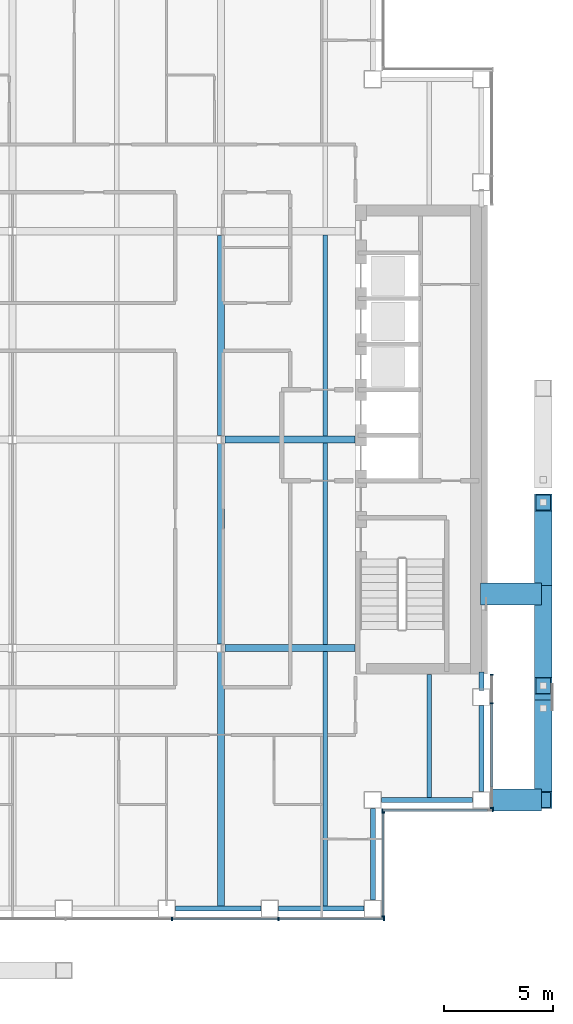
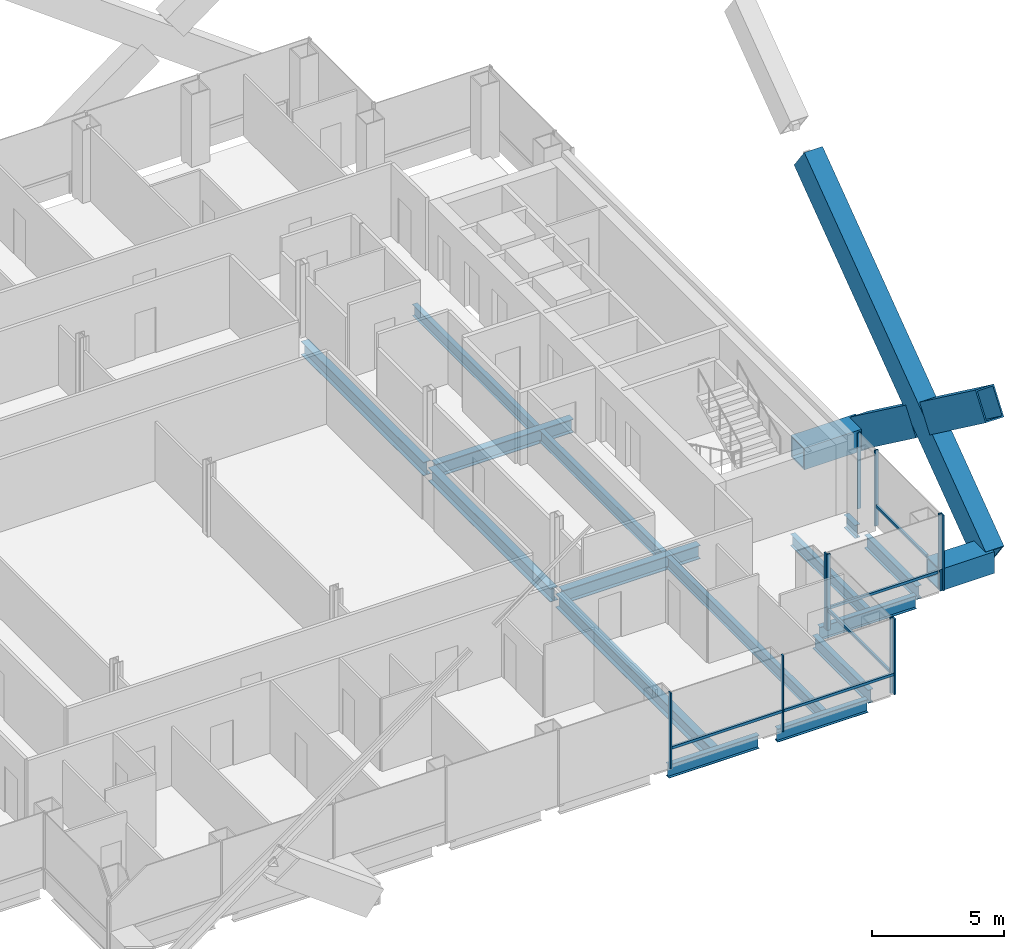
# One storey, part 5 of 16: 18 members, 17 beams, 4 elements without a shape of their own.
"""IFC4 building model written with IfcOpenShell, lengths in metres."""

from ifc_helpers import new_model, si_unit, direction, frame, origin, origin_2d, place, context, subcontext, project, spatial, rectangle, hollow_rectangle, i_section, extrude, material, material_profile, profile_set, type_object, element, aggregate, save


model = new_model("IFC4")

# Units and contexts
model_context = context("Model", 3, precision=1e-05, world=origin(), true_north=direction((0.0, 1.0)))
body_context = subcontext(model_context, "Body", "Model", "MODEL_VIEW")
ifc_project = project(units=[si_unit("LENGTHUNIT", "METRE"), si_unit("AREAUNIT", "SQUARE_METRE"), si_unit("VOLUMEUNIT", "CUBIC_METRE"), si_unit("PLANEANGLEUNIT", "RADIAN"), si_unit("MASSUNIT", "GRAM", prefix="KILO")], contexts=[model_context])

# Site, building, storey
site_placement = place(None, origin())
site = spatial("IfcSite", under=ifc_project, at=site_placement, CompositionType="ELEMENT")
building_placement = place(site_placement, origin())
building = spatial("IfcBuilding", under=site, at=building_placement, Name="Cobrizo Arcos Hotel Tower", CompositionType="ELEMENT")
storey_placement = place(building_placement, frame((0.0, 0.0, 172.5)))
storey = spatial("IfcBuildingStorey", under=building, at=storey_placement, Name="L44", CompositionType="ELEMENT", Elevation=172.5)

# Beams
ifc_material_1 = material(Name="Steel ASTM A572 Grade 50", Category="steel")
ifc_material_profile_1 = material_profile(ifc_material_1, hollow_rectangle(XDim=1.0, YDim=1.0, WallThickness=0.06005859375, at=origin_2d()), Name="BOX 1000X1000X60")
ifc_profile_set_1 = profile_set([ifc_material_profile_1], Name="Steel ASTM A572 Grade 50")
beam_type_1 = type_object("IfcBeamType", Name="BOX 1000X1000X60 brace connector strut", PredefinedType="BEAM", material=ifc_profile_set_1)
beam_1_placement = place(storey_placement, frame((21.550048828125, -7.1142578125, 0.5), z_axis=(1.0, 0.0, 0.0), x_axis=(0.0, 1.0, 0.0)))
element("IfcBeam", 1, at=beam_1_placement, inside=storey, type_object=beam_type_1, Name="Perimeter brace stub BS1, zone Z3, east face, offset -7.11 m, L44", PredefinedType="BEAM", context=body_context, shape_type="SweptSolid", body=[
    extrude(hollow_rectangle(XDim=1.0, YDim=1.0, WallThickness=0.06005859375, at=origin_2d()), origin(), (0.0, 0.0, 1.0), 2.820068359375),
])
beam_2_placement = place(storey_placement, frame((21.989990234375, -16.60009765625, 0.5), z_axis=(1.0, 0.0, 0.0), x_axis=(0.0, 1.0, 0.0)))
element("IfcBeam", 2, at=beam_2_placement, inside=storey, type_object=beam_type_1, Name="Perimeter brace stub BS1, zone Z3, east face, offset -16.60 m, L44", PredefinedType="BEAM", context=body_context, shape_type="SweptSolid", body=[
    extrude(hollow_rectangle(XDim=1.0, YDim=1.0, WallThickness=0.06005859375, at=origin_2d()), origin(), (0.0, 0.0, 1.0), 2.380126953125),
])

# Members
ifc_material_profile_2 = material_profile(ifc_material_1, hollow_rectangle(XDim=0.800048828125, YDim=1.300048828125, WallThickness=0.06005859375, at=origin_2d()), Name="BOX 800X1300X60")
ifc_profile_set_2 = profile_set([ifc_material_profile_2], Name="Steel ASTM A572 Grade 50")
member_type_1 = type_object("IfcMemberType", Name="BOX 800X1300X60 perimeter brace", PredefinedType="BRACE", material=ifc_profile_set_2)
member_1_placement = place(storey_placement, frame((24.449951171875, -16.60009765625, 0.5), z_axis=(0.0, 0.804630166974, 0.593776299961), x_axis=(-1.0, 0.0, 0.0)))
element("IfcMember", 3, at=member_1_placement, inside=storey, type_object=member_type_1, Name="Perimeter brace PBR3, zone Z3, east face, no. 14", PredefinedType="BRACE", context=body_context, shape_type="SweptSolid", body=[
    extrude(hollow_rectangle(XDim=0.800048828125, YDim=1.300048828125, WallThickness=0.06005859375, at=origin_2d()), origin(), (0.0, 0.0, 1.0), 17.033447265625),
])
for number, where, z_axis, x_axis, name in (
    (4, (24.449951171875, -7.1142578125, 0.5), (0.0, -0.804623858684, 0.593784848271), (1.0, 0.0, 0.0), "Perimeter brace PBR3, zone Z3, east face, no. 15"),
    (5, (24.449951171875, -12.38037109375, 4.385986328125), (0.0, -0.804623858684, 0.593784848271), (1.0, 0.0, 0.0), "Perimeter brace PBR3, zone Z3, east face, no. 15b"),
):
    element("IfcMember", number, at=place(storey_placement, frame(where, z_axis=z_axis, x_axis=x_axis)), inside=storey, type_object=member_type_1, Name=name, PredefinedType="BRACE", context=body_context, shape_type="SweptSolid", body=[
        extrude(hollow_rectangle(XDim=0.800048828125, YDim=1.300048828125, WallThickness=0.06005859375, at=origin_2d()), origin(), (0.0, 0.0, 1.0), 5.244384765625),
    ])

# Curtain wall, members
ifc_material_2 = material(Name="Aluminium 6063-T6 anodised bronze", Category="aluminium")
curtain_wall_type = type_object("IfcCurtainWallType", Name="CW-A guest facade", PredefinedType="NOTDEFINED", material=ifc_material_2)
curtain_wall_1_placement = place(storey_placement, origin())
curtain_wall_1 = element("IfcCurtainWall", 6, at=curtain_wall_1_placement, inside=storey, type_object=curtain_wall_type, Name="CW-A L44 S face", PredefinedType="NOTDEFINED")
ifc_material_profile_3 = material_profile(ifc_material_2, rectangle(XDim=0.14990234375, YDim=0.06005859375, at=origin_2d()), Name="CW-A mullion 150x60")
ifc_profile_set_3 = profile_set([ifc_material_profile_3], Name="Aluminium 6063-T6 anodised bronze")
member_type_2 = type_object("IfcMemberType", Name="CW-A mullion 150x60", PredefinedType="MULLION", material=ifc_profile_set_3)
member_2_placement = place(storey_placement, frame((7.35009765625, -22.074951171875, 0.0), z_axis=(0.0, 0.0, 1.0), x_axis=(0.0, -1.0, 0.0)))
member_2 = element("IfcMember", 7, at=member_2_placement, type_object=member_type_2, Name="CW-A mullion 6", PredefinedType="MULLION", context=body_context, shape_type="SweptSolid", body=[
    extrude(rectangle(XDim=0.14990234375, YDim=0.06005859375, at=origin_2d()), origin(), (0.0, 0.0, 1.0), 3.5),
])
member_3_placement = place(storey_placement, frame((12.25, -22.074951171875, 0.0), z_axis=(0.0, 0.0, 1.0), x_axis=(0.0, -1.0, 0.0)))
member_3 = element("IfcMember", 8, at=member_3_placement, type_object=member_type_2, Name="CW-A mullion 7", PredefinedType="MULLION", context=body_context, shape_type="SweptSolid", body=[
    extrude(rectangle(XDim=0.14990234375, YDim=0.06005859375, at=origin_2d()), origin(), (0.0, 0.0, 1.0), 3.5),
])
member_4_placement = place(storey_placement, frame((17.1201171875, -22.074951171875, 0.0), z_axis=(0.0, 0.0, 1.0), x_axis=(0.0, -1.0, 0.0)))
member_4 = element("IfcMember", 9, at=member_4_placement, type_object=member_type_2, Name="CW-A mullion 8", PredefinedType="MULLION", context=body_context, shape_type="SweptSolid", body=[
    extrude(rectangle(XDim=0.14990234375, YDim=0.06005859375, at=origin_2d()), origin(), (0.0, 0.0, 1.0), 3.5),
])

curtain_wall_2_placement = place(storey_placement, origin())
curtain_wall_2 = element("IfcCurtainWall", 10, at=curtain_wall_2_placement, inside=storey, type_object=curtain_wall_type, Name="CW-A L44 E face", PredefinedType="NOTDEFINED")
member_5_placement = place(storey_placement, frame((17.074951171875, -21.969970703125, 0.0), z_axis=(0.0, 0.0, 1.0), x_axis=(1.0, 0.0, 0.0)))
member_5 = element("IfcMember", 11, at=member_5_placement, type_object=member_type_2, Name="CW-A mullion 1", PredefinedType="MULLION", context=body_context, shape_type="SweptSolid", body=[
    extrude(rectangle(XDim=0.14990234375, YDim=0.06005859375, at=origin_2d()), origin(), (0.0, 0.0, 1.0), 3.5),
])
member_6_placement = place(storey_placement, frame((17.074951171875, -17.179931640625, 0.0), z_axis=(0.0, 0.0, 1.0), x_axis=(1.0, 0.0, 0.0)))
member_6 = element("IfcMember", 12, at=member_6_placement, type_object=member_type_2, Name="CW-A mullion 2", PredefinedType="MULLION", context=body_context, shape_type="SweptSolid", body=[
    extrude(rectangle(XDim=0.14990234375, YDim=0.06005859375, at=origin_2d()), origin(), (0.0, 0.0, 1.0), 3.5),
])

curtain_wall_3_placement = place(storey_placement, origin())
curtain_wall_3 = element("IfcCurtainWall", 13, at=curtain_wall_3_placement, inside=storey, type_object=curtain_wall_type, Name="CW-A L44 S face", PredefinedType="NOTDEFINED")
member_7_placement = place(storey_placement, frame((17.030029296875, -17.074951171875, 0.0), z_axis=(0.0, 0.0, 1.0), x_axis=(0.0, -1.0, 0.0)))
member_7 = element("IfcMember", 14, at=member_7_placement, type_object=member_type_2, Name="CW-A mullion 1", PredefinedType="MULLION", context=body_context, shape_type="SweptSolid", body=[
    extrude(rectangle(XDim=0.14990234375, YDim=0.06005859375, at=origin_2d()), origin(), (0.0, 0.0, 1.0), 3.5),
])
member_8_placement = place(storey_placement, frame((22.1201171875, -17.074951171875, 0.0), z_axis=(0.0, 0.0, 1.0), x_axis=(0.0, -1.0, 0.0)))
member_8 = element("IfcMember", 15, at=member_8_placement, type_object=member_type_2, Name="CW-A mullion 2", PredefinedType="MULLION", context=body_context, shape_type="SweptSolid", body=[
    extrude(rectangle(XDim=0.14990234375, YDim=0.06005859375, at=origin_2d()), origin(), (0.0, 0.0, 1.0), 3.5),
])

curtain_wall_4_placement = place(storey_placement, origin())
curtain_wall_4 = element("IfcCurtainWall", 16, at=curtain_wall_4_placement, inside=storey, type_object=curtain_wall_type, Name="CW-A L44 E face", PredefinedType="NOTDEFINED")
member_9_placement = place(storey_placement, frame((22.074951171875, -16.969970703125, 0.0), z_axis=(0.0, 0.0, 1.0), x_axis=(1.0, 0.0, 0.0)))
member_9 = element("IfcMember", 17, at=member_9_placement, type_object=member_type_2, Name="CW-A mullion 1", PredefinedType="MULLION", context=body_context, shape_type="SweptSolid", body=[
    extrude(rectangle(XDim=0.14990234375, YDim=0.06005859375, at=origin_2d()), origin(), (0.0, 0.0, 1.0), 3.5),
])
member_10_placement = place(storey_placement, frame((22.074951171875, -12.142822265625, 0.0), z_axis=(0.0, 0.0, 1.0), x_axis=(1.0, 0.0, 0.0)))
member_10 = element("IfcMember", 18, at=member_10_placement, type_object=member_type_2, Name="CW-A mullion 2", PredefinedType="MULLION", context=body_context, shape_type="SweptSolid", body=[
    extrude(rectangle(XDim=0.14990234375, YDim=0.06005859375, at=origin_2d()), origin(), (0.0, 0.0, 1.0), 3.5),
])
member_11_placement = place(storey_placement, frame((22.074951171875, -10.830078125, 0.0), z_axis=(0.0, 0.0, 1.0), x_axis=(1.0, 0.0, 0.0)))
member_11 = element("IfcMember", 19, at=member_11_placement, type_object=member_type_2, Name="CW-A mullion 3", PredefinedType="MULLION", context=body_context, shape_type="SweptSolid", body=[
    extrude(rectangle(XDim=0.14990234375, YDim=0.06005859375, at=origin_2d()), origin(), (0.0, 0.0, 1.0), 3.5),
])

# Member
ifc_material_profile_4 = material_profile(ifc_material_2, rectangle(XDim=0.10009765625, YDim=0.1201171875, at=origin_2d()), Name="CW-A transom 120x100")
ifc_profile_set_4 = profile_set([ifc_material_profile_4], Name="Aluminium 6063-T6 anodised bronze")
member_type_3 = type_object("IfcMemberType", Name="CW-A transom 120x100", PredefinedType="USERDEFINED", material=ifc_profile_set_4)
member_12_placement = place(storey_placement, frame((7.3798828125, -22.074951171875, 0.929931640625), z_axis=(1.0, 0.0, 0.0), x_axis=(0.0, 1.0, 0.0)))
member_12 = element("IfcMember", 20, at=member_12_placement, type_object=member_type_3, Name="CW-A transom 1551", ObjectType="TRANSOM", PredefinedType="USERDEFINED", context=body_context, shape_type="SweptSolid", body=[
    extrude(rectangle(XDim=0.10009765625, YDim=0.1201171875, at=origin_2d()), origin(), (0.0, 0.0, 1.0), 4.840087890625),
])

member_13_placement = place(storey_placement, frame((12.280029296875, -22.074951171875, 0.929931640625), z_axis=(1.0, 0.0, 0.0), x_axis=(0.0, 1.0, 0.0)))
member_13 = element("IfcMember", 21, at=member_13_placement, type_object=member_type_3, Name="CW-A transom 1552", ObjectType="TRANSOM", PredefinedType="USERDEFINED", context=body_context, shape_type="SweptSolid", body=[
    extrude(rectangle(XDim=0.10009765625, YDim=0.1201171875, at=origin_2d()), origin(), (0.0, 0.0, 1.0), 4.81005859375),
])

aggregate(curtain_wall_1, [member_2, member_3, member_4, member_12, member_13])

member_14_placement = place(storey_placement, frame((17.074951171875, -21.93994140625, 0.929931640625), z_axis=(0.0, 1.0, 0.0), x_axis=(-1.0, 0.0, 0.0)))
member_14 = element("IfcMember", 22, at=member_14_placement, type_object=member_type_3, Name="CW-A transom 1553", ObjectType="TRANSOM", PredefinedType="USERDEFINED", context=body_context, shape_type="SweptSolid", body=[
    extrude(rectangle(XDim=0.10009765625, YDim=0.1201171875, at=origin_2d()), origin(), (0.0, 0.0, 1.0), 4.72998046875),
])

aggregate(curtain_wall_2, [member_5, member_6, member_14])

member_15_placement = place(storey_placement, frame((17.06005859375, -17.074951171875, 0.929931640625), z_axis=(1.0, 0.0, 0.0), x_axis=(0.0, 1.0, 0.0)))
member_15 = element("IfcMember", 23, at=member_15_placement, type_object=member_type_3, Name="CW-A transom 1554", ObjectType="TRANSOM", PredefinedType="USERDEFINED", context=body_context, shape_type="SweptSolid", body=[
    extrude(rectangle(XDim=0.10009765625, YDim=0.1201171875, at=origin_2d()), origin(), (0.0, 0.0, 1.0), 4.829833984375),
])

aggregate(curtain_wall_3, [member_7, member_8, member_15])

member_16_placement = place(storey_placement, frame((22.074951171875, -16.0, 0.929931640625), z_axis=(0.0, 1.0, 0.0), x_axis=(-1.0, 0.0, 0.0)))
member_16 = element("IfcMember", 24, at=member_16_placement, type_object=member_type_3, Name="CW-A transom 1555", ObjectType="TRANSOM", PredefinedType="USERDEFINED", context=body_context, shape_type="SweptSolid", body=[
    extrude(rectangle(XDim=0.10009765625, YDim=0.1201171875, at=origin_2d()), origin(), (0.0, 0.0, 1.0), 3.8271484375),
])

aggregate(curtain_wall_4, [member_9, member_10, member_11, member_16])

# Beams
ifc_material_3 = material(Name="Steel ASTM A992 Grade 50", Category="steel")
ifc_material_profile_5 = material_profile(ifc_material_3, i_section(OverallWidth=0.209228515625, OverallDepth=0.533447265625, WebThickness=0.01025390625, FlangeThickness=0.015625, at=origin_2d()), Name="W21X62")
ifc_profile_set_5 = profile_set([ifc_material_profile_5], Name="Steel ASTM A992 Grade 50")
beam_type_2 = type_object("IfcBeamType", Name="W21X62 joist", PredefinedType="JOIST", material=ifc_profile_set_5)
beam_3_placement = place(storey_placement, frame((14.39990234375, -21.510009765625, -0.416748046875), z_axis=(0.0, 1.0, 0.0), x_axis=(-1.0, 0.0, 0.0)))
element("IfcBeam", 25, at=beam_3_placement, inside=storey, type_object=beam_type_2, Name="Floor joist J1, L44, no. 015", PredefinedType="JOIST", context=body_context, shape_type="SweptSolid", body=[
    extrude(i_section(OverallWidth=0.209228515625, OverallDepth=0.533447265625, WebThickness=0.01025390625, FlangeThickness=0.015625, at=origin_2d()), origin(), (0.0, 0.0, 1.0), 11.74609375),
])
for number, where, z_axis, x_axis, name in (
    (26, (14.39990234375, -9.43603515625, -0.416748046875), (0.0, 1.0, 0.0), (-1.0, 0.0, 0.0), "Floor joist J1, L44, no. 016"),
    (27, (14.39990234375, 0.163818359375, -0.416748046875), (0.0, 1.0, 0.0), (-1.0, 0.0, 0.0), "Floor joist J1, L44, no. 017"),
):
    element("IfcBeam", number, at=place(storey_placement, frame(where, z_axis=z_axis, x_axis=x_axis)), inside=storey, type_object=beam_type_2, Name=name, PredefinedType="JOIST", context=body_context, shape_type="SweptSolid", body=[
        extrude(i_section(OverallWidth=0.209228515625, OverallDepth=0.533447265625, WebThickness=0.01025390625, FlangeThickness=0.015625, at=origin_2d()), origin(), (0.0, 0.0, 1.0), 9.272216796875),
    ])
beam_4_placement = place(storey_placement, frame((19.199951171875, -16.510009765625, -0.416748046875), z_axis=(0.0, 1.0, 0.0), x_axis=(-1.0, 0.0, 0.0)))
element("IfcBeam", 28, at=beam_4_placement, inside=storey, type_object=beam_type_2, Name="Floor joist J1, L44, no. 019", PredefinedType="JOIST", context=body_context, shape_type="SweptSolid", body=[
    extrude(i_section(OverallWidth=0.209228515625, OverallDepth=0.533447265625, WebThickness=0.01025390625, FlangeThickness=0.015625, at=origin_2d()), origin(), (0.0, 0.0, 1.0), 5.699951171875),
])
ifc_material_profile_6 = material_profile(ifc_material_3, i_section(OverallWidth=0.32763671875, OverallDepth=0.622314453125, WebThickness=0.015380859375, FlangeThickness=0.0244140625, at=origin_2d()), Name="W24X131")
ifc_profile_set_6 = profile_set([ifc_material_profile_6], Name="Steel ASTM A992 Grade 50")
beam_type_3 = type_object("IfcBeamType", Name="W24X131 girder", PredefinedType="BEAM", material=ifc_profile_set_6)
for number, where, z_axis, x_axis, name in (
    (29, (9.78662109375, -9.60009765625, -0.461181640625), (1.0, 0.0, 0.0), (0.0, 1.0, 0.0), "Floor girder G1, L44, no. 004"),
    (30, (9.78662109375, 0.0, -0.461181640625), (1.0, 0.0, 0.0), (0.0, 1.0, 0.0), "Floor girder G1, L44, no. 008"),
):
    element("IfcBeam", number, at=place(storey_placement, frame(where, z_axis=z_axis, x_axis=x_axis)), inside=storey, type_object=beam_type_3, Name=name, PredefinedType="BEAM", context=body_context, shape_type="SweptSolid", body=[
        extrude(i_section(OverallWidth=0.32763671875, OverallDepth=0.622314453125, WebThickness=0.015380859375, FlangeThickness=0.0244140625, at=origin_2d()), origin(), (0.0, 0.0, 1.0), 6.00341796875),
    ])
beam_5_placement = place(storey_placement, frame((9.60009765625, -21.510009765625, -0.461181640625), z_axis=(0.0, 1.0, 0.0), x_axis=(-1.0, 0.0, 0.0)))
element("IfcBeam", 31, at=beam_5_placement, inside=storey, type_object=beam_type_3, Name="Floor girder G1, L44, no. 021", PredefinedType="BEAM", context=body_context, shape_type="SweptSolid", body=[
    extrude(i_section(OverallWidth=0.32763671875, OverallDepth=0.622314453125, WebThickness=0.015380859375, FlangeThickness=0.0244140625, at=origin_2d()), origin(), (0.0, 0.0, 1.0), 11.723388671875),
])
for number, where, z_axis, x_axis, name in (
    (32, (9.60009765625, -9.413330078125, -0.461181640625), (0.0, 1.0, 0.0), (-1.0, 0.0, 0.0), "Floor girder G1, L44, no. 022"),
    (33, (9.60009765625, 0.186767578125, -0.461181640625), (0.0, 1.0, 0.0), (-1.0, 0.0, 0.0), "Floor girder G1, L44, no. 023"),
):
    element("IfcBeam", number, at=place(storey_placement, frame(where, z_axis=z_axis, x_axis=x_axis)), inside=storey, type_object=beam_type_3, Name=name, PredefinedType="BEAM", context=body_context, shape_type="SweptSolid", body=[
        extrude(i_section(OverallWidth=0.32763671875, OverallDepth=0.622314453125, WebThickness=0.015380859375, FlangeThickness=0.0244140625, at=origin_2d()), origin(), (0.0, 0.0, 1.0), 9.2265625),
    ])
ifc_material_profile_7 = material_profile(ifc_material_3, i_section(OverallWidth=0.228271484375, OverallDepth=0.607177734375, WebThickness=0.01123046875, FlangeThickness=0.017333984375, at=origin_2d()), Name="W24X76")
ifc_profile_set_7 = profile_set([ifc_material_profile_7], Name="Steel ASTM A992 Grade 50")
beam_type_4 = type_object("IfcBeamType", Name="W24X76 spandrel", PredefinedType="SPANDREL", material=ifc_profile_set_7)
beam_6_placement = place(storey_placement, frame((7.513916015625, -21.60009765625, -0.45361328125), z_axis=(1.0, 0.0, 0.0), x_axis=(0.0, 1.0, 0.0)))
element("IfcBeam", 34, at=beam_6_placement, inside=storey, type_object=beam_type_4, Name="Spandrel beam W24X76, L44, no. 006", PredefinedType="SPANDREL", context=body_context, shape_type="SweptSolid", body=[
    extrude(i_section(OverallWidth=0.228271484375, OverallDepth=0.607177734375, WebThickness=0.01123046875, FlangeThickness=0.017333984375, at=origin_2d()), origin(), (0.0, 0.0, 1.0), 3.943115234375),
])
beam_7_placement = place(storey_placement, frame((12.257080078125, -21.60009765625, -0.45361328125), z_axis=(1.0, 0.0, 0.0), x_axis=(0.0, 1.0, 0.0)))
element("IfcBeam", 35, at=beam_7_placement, inside=storey, type_object=beam_type_4, Name="Spandrel beam W24X76, L44, no. 007", PredefinedType="SPANDREL", context=body_context, shape_type="SweptSolid", body=[
    extrude(i_section(OverallWidth=0.228271484375, OverallDepth=0.607177734375, WebThickness=0.01123046875, FlangeThickness=0.017333984375, at=origin_2d()), origin(), (0.0, 0.0, 1.0), 3.94287109375),
])
for number, where, z_axis, x_axis, name in (
    (36, (16.60009765625, -21.199951171875, -0.45361328125), (0.0, 1.0, 0.0), (-1.0, 0.0, 0.0), "Spandrel beam W24X76, L44, no. 008"),
    (37, (17.0, -16.60009765625, -0.45361328125), (1.0, 0.0, 0.0), (0.0, 1.0, 0.0), "Spandrel beam W24X76, L44, no. 009"),
):
    element("IfcBeam", number, at=place(storey_placement, frame(where, z_axis=z_axis, x_axis=x_axis)), inside=storey, type_object=beam_type_4, Name=name, PredefinedType="SPANDREL", context=body_context, shape_type="SweptSolid", body=[
        extrude(i_section(OverallWidth=0.228271484375, OverallDepth=0.607177734375, WebThickness=0.01123046875, FlangeThickness=0.017333984375, at=origin_2d()), origin(), (0.0, 0.0, 1.0), 4.199951171875),
    ])
beam_8_placement = place(storey_placement, frame((21.60009765625, -16.199951171875, -0.45361328125), z_axis=(0.0, 1.0, 0.0), x_axis=(-1.0, 0.0, 0.0)))
element("IfcBeam", 38, at=beam_8_placement, inside=storey, type_object=beam_type_4, Name="Spandrel beam W24X76, L44, no. 010", PredefinedType="SPANDREL", context=body_context, shape_type="SweptSolid", body=[
    extrude(i_section(OverallWidth=0.228271484375, OverallDepth=0.607177734375, WebThickness=0.01123046875, FlangeThickness=0.017333984375, at=origin_2d()), origin(), (0.0, 0.0, 1.0), 3.94287109375),
])
beam_9_placement = place(storey_placement, frame((21.60009765625, -11.556884765625, -0.45361328125), z_axis=(0.0, 1.0, 0.0), x_axis=(-1.0, 0.0, 0.0)))
element("IfcBeam", 39, at=beam_9_placement, inside=storey, type_object=beam_type_4, Name="Spandrel beam W24X76, L44, no. 011", PredefinedType="SPANDREL", context=body_context, shape_type="SweptSolid", body=[
    extrude(i_section(OverallWidth=0.228271484375, OverallDepth=0.607177734375, WebThickness=0.01123046875, FlangeThickness=0.017333984375, at=origin_2d()), origin(), (0.0, 0.0, 1.0), 0.846923828125),
])

save(model, "model.ifc")
